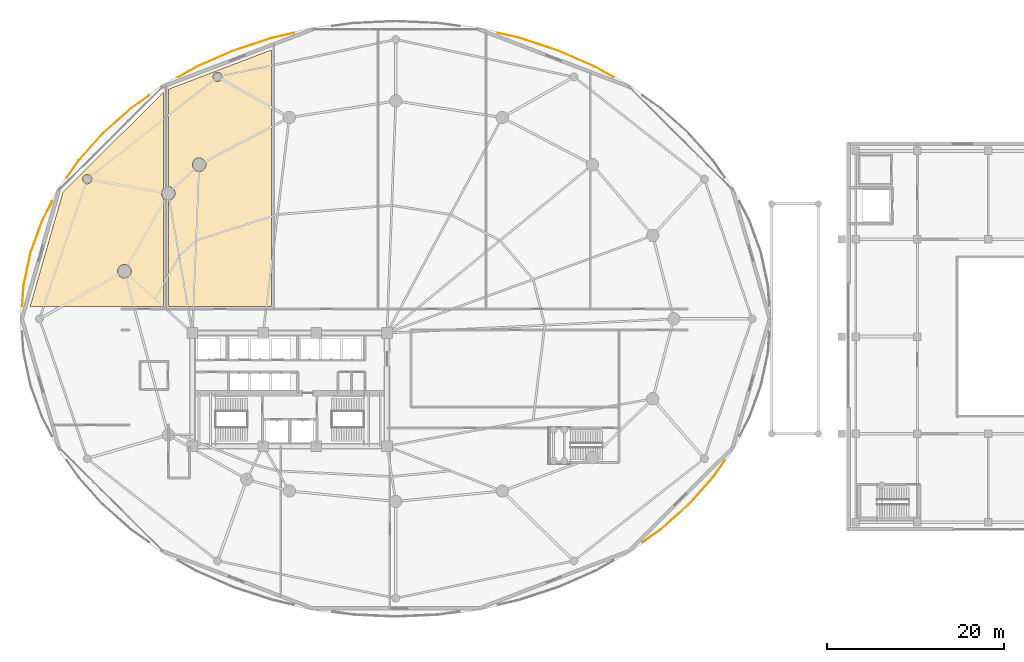
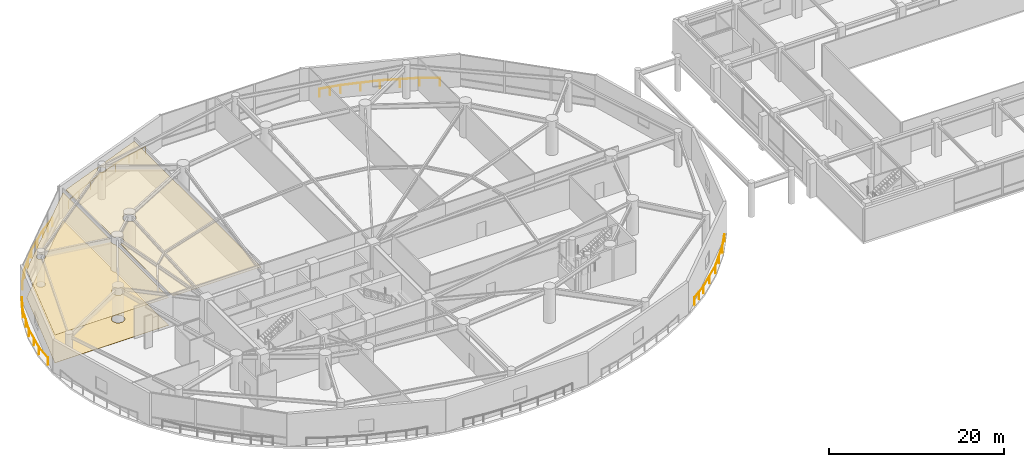
# One storey, part 37 of 40: 5 railings, 3 coverings.
"""IFC4 building model written with IfcOpenShell, lengths in metres."""

from ifc_helpers import new_model, si_unit, direction, frame, origin, origin_2d, place, context, subcontext, project, spatial, polyline, rectangle, outline, extrude, material, layer, layer_set, type_object, element, save


model = new_model("IFC4")

# Units and contexts
model_context = context("Model", 3, precision=1e-05, world=origin(), true_north=direction((0.0, 1.0)))
body_context = subcontext(model_context, "Body", "Model", "MODEL_VIEW")
ifc_project = project(units=[si_unit("LENGTHUNIT", "METRE"), si_unit("AREAUNIT", "SQUARE_METRE"), si_unit("VOLUMEUNIT", "CUBIC_METRE"), si_unit("PLANEANGLEUNIT", "RADIAN"), si_unit("MASSUNIT", "GRAM", prefix="KILO")], contexts=[model_context])

# Site, building, storey
site_placement = place(None, origin())
site = spatial("IfcSite", under=ifc_project, at=site_placement, CompositionType="ELEMENT")
building_placement = place(site_placement, origin())
building = spatial("IfcBuilding", under=site, at=building_placement, Name="Kazevale Care Tower and Concert Hall", CompositionType="ELEMENT")
storey_placement = place(building_placement, frame((0.0, 0.0, 4.800048828125)))
storey = spatial("IfcBuildingStorey", under=building, at=storey_placement, Name="L01", CompositionType="ELEMENT", Elevation=4.800048828125)

# Coverings
ifc_material_1 = material(Name="Acoustic Plaster and Hinoki Wood", Category="wood")
ifc_layer_1 = layer(ifc_material_1, 0.0400390625)
ifc_layer_set_1 = layer_set([ifc_layer_1], Name="Acoustic Plaster and Hinoki Wood")
covering_type_1 = type_object("IfcCoveringType", Name="Acoustic Perforated Wood-Gypsum Ceiling", PredefinedType="CEILING", material=ifc_layer_set_1)
covering_1_placement = place(storey_placement, frame((0.0, 0.0, 3.869873046875)))
element("IfcCovering", 1, at=covering_1_placement, inside=storey, type_object=covering_type_1, Name="clg:L01:1", PredefinedType="CEILING", context=body_context, shape_type="SweptSolid", body=[
    extrude(outline(polyline([(18.62109375, 52.613037109375), (18.489990234375, 52.179931640625), (18.549072265625, 51.882080078125), (18.719970703125, 51.626953125), (18.719970703125, 39.405029296875), (3.64404296875, 39.405029296875), (7.35205078125, 52.306884765625), (18.719970703125, 63.62890625), (18.719970703125, 52.73291015625), (18.62109375, 52.613037109375)]), holes=[polyline([(15.031005859375, 43.677978515625), (14.862060546875, 43.931884765625), (14.60791015625, 44.10107421875), (14.31005859375, 44.159912109375), (14.011962890625, 44.10107421875), (13.758056640625, 43.931884765625), (13.589111328125, 43.677978515625), (13.530029296875, 43.3798828125), (13.589111328125, 43.08203125), (13.758056640625, 42.827880859375), (14.011962890625, 42.658935546875), (14.31005859375, 42.60009765625), (14.60791015625, 42.658935546875), (14.862060546875, 42.827880859375), (15.031005859375, 43.08203125), (15.090087890625, 43.3798828125), (15.031005859375, 43.677978515625)]), polyline([(10.6201171875, 53.903076171875), (10.541015625, 54.093994140625), (10.39404296875, 54.240966796875), (10.202880859375, 54.320068359375), (9.9970703125, 54.320068359375), (9.805908203125, 54.240966796875), (9.658935546875, 54.093994140625), (9.580078125, 53.903076171875), (9.580078125, 53.697021484375), (9.658935546875, 53.506103515625), (9.805908203125, 53.35888671875), (9.9970703125, 53.280029296875), (10.202880859375, 53.280029296875), (10.39404296875, 53.35888671875), (10.541015625, 53.506103515625), (10.6201171875, 53.697021484375), (10.6201171875, 53.903076171875)])]), origin(), (0.0, 0.0, 1.0), 0.0400390625),
])
covering_2_placement = place(storey_placement, frame((0.0, 0.0, 3.869873046875)))
element("IfcCovering", 2, at=covering_2_placement, inside=storey, type_object=covering_type_1, Name="clg:L01:2", PredefinedType="CEILING", context=body_context, shape_type="SweptSolid", body=[
    extrude(outline(polyline([(30.919921875, 39.405029296875), (19.280029296875, 39.405029296875), (19.280029296875, 51.40087890625), (19.568115234375, 51.458984375), (19.822021484375, 51.6279296875), (19.990966796875, 51.882080078125), (20.050048828125, 52.179931640625), (19.990966796875, 52.47802734375), (19.822021484375, 52.73193359375), (19.568115234375, 52.90087890625), (19.280029296875, 52.958984375), (19.280029296875, 63.964111328125), (30.919921875, 68.416015625), (30.919921875, 39.405029296875)]), holes=[polyline([(23.408935546875, 55.863037109375), (23.193115234375, 56.0791015625), (22.912109375, 56.195068359375), (22.60791015625, 56.195068359375), (22.326904296875, 56.0791015625), (22.111083984375, 55.863037109375), (21.9951171875, 55.58203125), (21.9951171875, 55.278076171875), (22.111083984375, 54.9970703125), (22.326904296875, 54.781005859375), (22.60791015625, 54.6650390625), (22.912109375, 54.6650390625), (23.193115234375, 54.781005859375), (23.408935546875, 54.9970703125), (23.52490234375, 55.278076171875), (23.52490234375, 55.58203125), (23.408935546875, 55.863037109375)]), polyline([(25.3701171875, 65.472900390625), (25.291015625, 65.6640625), (25.14404296875, 65.81103515625), (24.952880859375, 65.889892578125), (24.7470703125, 65.889892578125), (24.555908203125, 65.81103515625), (24.408935546875, 65.6640625), (24.330078125, 65.472900390625), (24.330078125, 65.26708984375), (24.408935546875, 65.075927734375), (24.555908203125, 64.928955078125), (24.7470703125, 64.85009765625), (24.952880859375, 64.85009765625), (25.14404296875, 64.928955078125), (25.291015625, 65.075927734375), (25.3701171875, 65.26708984375), (25.3701171875, 65.472900390625)])]), origin(), (0.0, 0.0, 1.0), 0.0400390625),
])

# Railings
ifc_material_2 = material(Name="Anodised Bronze Aluminium and Laminated Glass", Category="aluminium")
railing_type = type_object("IfcRailingType", Name="Balcony and Terrace Balustrade 1120", PredefinedType="BALUSTRADE", material=ifc_material_2)
railing_1_placement = place(storey_placement, frame((2.742919921875, 39.4560546875, 0.0)))
element("IfcRailing", 3, at=railing_1_placement, inside=storey, type_object=railing_type, Name="rail:L01:perim:2", PredefinedType="BALUSTRADE", context=body_context, shape_type="SweptSolid", body=[
    extrude(rectangle(XDim=0.048095703125, YDim=0.048095703125, at=origin_2d()), frame((0.0, 0.0, 1.09619140625), z_axis=(0.070459951237, 0.997514609052, 0.0), x_axis=(-0.997514609052, 0.070459951237, 0.0)), (0.0, 0.0, 1.0), 2.314697265625),
    extrude(rectangle(XDim=0.048095703125, YDim=0.048095703125, at=origin_2d()), frame((0.1630859375, 2.308837890625, 1.09619140625), z_axis=(0.20907738305, 0.977899099037, 0.0), x_axis=(-0.977899099037, 0.20907738305, 0.0)), (0.0, 0.0, 1.0), 3.802001953125),
    extrude(rectangle(XDim=0.048095703125, YDim=0.048095703125, at=origin_2d()), frame((0.9580078125, 6.02685546875, 1.09619140625), z_axis=(0.340410185576, 0.940277036599, 0.0), x_axis=(-0.940277036599, 0.340410185576, 0.0)), (0.0, 0.0, 1.0), 3.854248046875),
    extrude(rectangle(XDim=0.048095703125, YDim=0.048095703125, at=origin_2d()), frame((2.27001953125, 9.65087890625, 1.09619140625), z_axis=(0.462140207553, 0.88680687219, 0.0), x_axis=(-0.88680687219, 0.462140207553, 0.0)), (0.0, 0.0, 1.0), 2.43017578125),
    extrude(rectangle(XDim=0.0419921875, YDim=0.0419921875, at=origin_2d()), origin(), (0.0, 0.0, 1.0), 1.072021484375),
    extrude(rectangle(XDim=0.0419921875, YDim=0.0419921875, at=origin_2d()), frame((0.1630859375, 2.308837890625, 0.0)), (0.0, 0.0, 1.0), 1.072021484375),
    extrude(rectangle(XDim=0.0419921875, YDim=0.0419921875, at=origin_2d()), frame((0.560546875, 4.16796875, 0.0)), (0.0, 0.0, 1.0), 1.072021484375),
    extrude(rectangle(XDim=0.0419921875, YDim=0.0419921875, at=origin_2d()), frame((0.9580078125, 6.02685546875, 0.0)), (0.0, 0.0, 1.0), 1.072021484375),
    extrude(rectangle(XDim=0.0419921875, YDim=0.0419921875, at=origin_2d()), frame((1.614013671875, 7.8388671875, 0.0)), (0.0, 0.0, 1.0), 1.072021484375),
    extrude(rectangle(XDim=0.0419921875, YDim=0.0419921875, at=origin_2d()), frame((2.27001953125, 9.65087890625, 0.0)), (0.0, 0.0, 1.0), 1.072021484375),
    extrude(rectangle(XDim=0.0419921875, YDim=0.0419921875, at=origin_2d()), frame((2.83154296875, 10.728515625, 0.0)), (0.0, 0.0, 1.0), 1.072021484375),
    extrude(rectangle(XDim=0.0419921875, YDim=0.0419921875, at=origin_2d()), frame((3.39306640625, 11.805908203125, 0.0)), (0.0, 0.0, 1.0), 1.072021484375),
])
railing_2_placement = place(storey_placement, frame((7.81201171875, 54.008056640625, 0.0)))
element("IfcRailing", 4, at=railing_2_placement, inside=storey, type_object=railing_type, Name="rail:L01:perim:3", PredefinedType="BALUSTRADE", context=body_context, shape_type="SweptSolid", body=[
    extrude(rectangle(XDim=0.048095703125, YDim=0.048095703125, at=origin_2d()), frame((0.0, 0.0, 1.09619140625), z_axis=(0.570672394322, 0.821177823835, 0.0), x_axis=(-0.821177823835, 0.570672394322, 0.0)), (0.0, 0.0, 1.0), 2.299072265625),
    extrude(rectangle(XDim=0.048095703125, YDim=0.048095703125, at=origin_2d()), frame((1.31201171875, 1.887939453125, 1.09619140625), z_axis=(0.665728837253, 0.746193751816, 0.0), x_axis=(-0.746193751816, 0.665728837253, 0.0)), (0.0, 0.0, 1.0), 4.12646484375),
    extrude(rectangle(XDim=0.048095703125, YDim=0.048095703125, at=origin_2d()), frame((4.05908203125, 4.967041015625, 1.09619140625), z_axis=(0.746983011463, 0.664843124794, 0.0), x_axis=(-0.664843124794, 0.746983011463, 0.0)), (0.0, 0.0, 1.0), 4.2353515625),
    extrude(rectangle(XDim=0.048095703125, YDim=0.048095703125, at=origin_2d()), frame((7.222900390625, 7.782958984375, 1.09619140625), z_axis=(0.815188786096, 0.579195340989, 0.0), x_axis=(-0.579195340989, 0.815188786096, 0.0)), (0.0, 0.0, 1.0), 2.53466796875),
    extrude(rectangle(XDim=0.0419921875, YDim=0.0419921875, at=origin_2d()), origin(), (0.0, 0.0, 1.0), 1.072021484375),
    extrude(rectangle(XDim=0.0419921875, YDim=0.0419921875, at=origin_2d()), frame((1.31201171875, 1.887939453125, 0.0)), (0.0, 0.0, 1.0), 1.072021484375),
    extrude(rectangle(XDim=0.0419921875, YDim=0.0419921875, at=origin_2d()), frame((2.685546875, 3.427490234375, 0.0)), (0.0, 0.0, 1.0), 1.072021484375),
    extrude(rectangle(XDim=0.0419921875, YDim=0.0419921875, at=origin_2d()), frame((4.05908203125, 4.967041015625, 0.0)), (0.0, 0.0, 1.0), 1.072021484375),
    extrude(rectangle(XDim=0.0419921875, YDim=0.0419921875, at=origin_2d()), frame((5.64111328125, 6.375, 0.0)), (0.0, 0.0, 1.0), 1.072021484375),
    extrude(rectangle(XDim=0.0419921875, YDim=0.0419921875, at=origin_2d()), frame((7.222900390625, 7.782958984375, 0.0)), (0.0, 0.0, 1.0), 1.072021484375),
    extrude(rectangle(XDim=0.0419921875, YDim=0.0419921875, at=origin_2d()), frame((8.255859375, 8.51708984375, 0.0)), (0.0, 0.0, 1.0), 1.072021484375),
    extrude(rectangle(XDim=0.0419921875, YDim=0.0419921875, at=origin_2d()), frame((9.2890625, 9.2509765625, 0.0)), (0.0, 0.0, 1.0), 1.072021484375),
])
railing_3_placement = place(storey_placement, frame((20.388916015625, 65.330078125, 0.0)))
element("IfcRailing", 5, at=railing_3_placement, inside=storey, type_object=railing_type, Name="rail:L01:perim:6", PredefinedType="BALUSTRADE", context=body_context, shape_type="SweptSolid", body=[
    extrude(rectangle(XDim=0.048095703125, YDim=0.048095703125, at=origin_2d()), frame((0.0, 0.0, 1.09619140625), z_axis=(0.870864175029, 0.491523741696, 0.0), x_axis=(-0.491523741696, 0.870864175029, 0.0)), (0.0, 0.0, 1.0), 2.36767578125),
    extrude(rectangle(XDim=0.048095703125, YDim=0.048095703125, at=origin_2d()), frame((2.06201171875, 1.163818359375, 1.09619140625), z_axis=(0.915470269762, 0.402385617514, 0.0), x_axis=(-0.402385617514, 0.915470269762, 0.0)), (0.0, 0.0, 1.0), 4.543212890625),
    extrude(rectangle(XDim=0.048095703125, YDim=0.048095703125, at=origin_2d()), frame((6.22119140625, 2.991943359375, 1.09619140625), z_axis=(0.949817857606, 0.312803512405, 0.0), x_axis=(-0.312803512405, 0.949817857606, 0.0)), (0.0, 0.0, 1.0), 4.622802734375),
    extrude(rectangle(XDim=0.048095703125, YDim=0.048095703125, at=origin_2d()), frame((10.612060546875, 4.43798828125, 1.09619140625), z_axis=(0.974740171393, 0.223341886518, 0.0), x_axis=(-0.223341886518, 0.974740171393, 0.0)), (0.0, 0.0, 1.0), 2.538330078125),
    extrude(rectangle(XDim=0.0419921875, YDim=0.0419921875, at=origin_2d()), origin(), (0.0, 0.0, 1.0), 1.072021484375),
    extrude(rectangle(XDim=0.0419921875, YDim=0.0419921875, at=origin_2d()), frame((2.06201171875, 1.163818359375, 0.0)), (0.0, 0.0, 1.0), 1.072021484375),
    extrude(rectangle(XDim=0.0419921875, YDim=0.0419921875, at=origin_2d()), frame((4.1416015625, 2.077880859375, 0.0)), (0.0, 0.0, 1.0), 1.072021484375),
    extrude(rectangle(XDim=0.0419921875, YDim=0.0419921875, at=origin_2d()), frame((6.22119140625, 2.991943359375, 0.0)), (0.0, 0.0, 1.0), 1.072021484375),
    extrude(rectangle(XDim=0.0419921875, YDim=0.0419921875, at=origin_2d()), frame((8.41650390625, 3.71484375, 0.0)), (0.0, 0.0, 1.0), 1.072021484375),
    extrude(rectangle(XDim=0.0419921875, YDim=0.0419921875, at=origin_2d()), frame((10.612060546875, 4.43798828125, 0.0)), (0.0, 0.0, 1.0), 1.072021484375),
    extrude(rectangle(XDim=0.0419921875, YDim=0.0419921875, at=origin_2d()), frame((11.84912109375, 4.721435546875, 0.0)), (0.0, 0.0, 1.0), 1.072021484375),
    extrude(rectangle(XDim=0.0419921875, YDim=0.0419921875, at=origin_2d()), frame((13.086181640625, 5.0048828125, 0.0)), (0.0, 0.0, 1.0), 1.072021484375),
])
railing_4_placement = place(storey_placement, frame((56.52490234375, 70.3349609375, 0.0)))
element("IfcRailing", 6, at=railing_4_placement, inside=storey, type_object=railing_type, Name="rail:L01:perim:10", PredefinedType="BALUSTRADE", context=body_context, shape_type="SweptSolid", body=[
    extrude(rectangle(XDim=0.048095703125, YDim=0.048095703125, at=origin_2d()), frame((0.0, 0.0, 1.09619140625), z_axis=(0.974740171393, -0.223341886518, 0.0), x_axis=(0.223341886518, 0.974740171393, 0.0)), (0.0, 0.0, 1.0), 2.538330078125),
    extrude(rectangle(XDim=0.048095703125, YDim=0.048095703125, at=origin_2d()), frame((2.47412109375, -0.56689453125, 1.09619140625), z_axis=(0.949817857606, -0.312803512405, 0.0), x_axis=(0.312803512405, 0.949817857606, 0.0)), (0.0, 0.0, 1.0), 4.622802734375),
    extrude(rectangle(XDim=0.048095703125, YDim=0.048095703125, at=origin_2d()), frame((6.864990234375, -2.012939453125, 1.09619140625), z_axis=(0.915470269762, -0.402385617514, 0.0), x_axis=(0.402385617514, 0.915470269762, 0.0)), (0.0, 0.0, 1.0), 4.543212890625),
    extrude(rectangle(XDim=0.048095703125, YDim=0.048095703125, at=origin_2d()), frame((11.024169921875, -3.841064453125, 1.09619140625), z_axis=(0.870864175029, -0.491523741696, 0.0), x_axis=(0.491523741696, 0.870864175029, 0.0)), (0.0, 0.0, 1.0), 2.36767578125),
    extrude(rectangle(XDim=0.0419921875, YDim=0.0419921875, at=origin_2d()), origin(), (0.0, 0.0, 1.0), 1.072021484375),
    extrude(rectangle(XDim=0.0419921875, YDim=0.0419921875, at=origin_2d()), frame((1.237060546875, -0.283447265625, 0.0)), (0.0, 0.0, 1.0), 1.072021484375),
    extrude(rectangle(XDim=0.0419921875, YDim=0.0419921875, at=origin_2d()), frame((2.47412109375, -0.56689453125, 0.0)), (0.0, 0.0, 1.0), 1.072021484375),
    extrude(rectangle(XDim=0.0419921875, YDim=0.0419921875, at=origin_2d()), frame((4.66943359375, -1.2900390625, 0.0)), (0.0, 0.0, 1.0), 1.072021484375),
    extrude(rectangle(XDim=0.0419921875, YDim=0.0419921875, at=origin_2d()), frame((6.864990234375, -2.012939453125, 0.0)), (0.0, 0.0, 1.0), 1.072021484375),
    extrude(rectangle(XDim=0.0419921875, YDim=0.0419921875, at=origin_2d()), frame((8.944580078125, -2.927001953125, 0.0)), (0.0, 0.0, 1.0), 1.072021484375),
    extrude(rectangle(XDim=0.0419921875, YDim=0.0419921875, at=origin_2d()), frame((11.024169921875, -3.841064453125, 0.0)), (0.0, 0.0, 1.0), 1.072021484375),
    extrude(rectangle(XDim=0.0419921875, YDim=0.0419921875, at=origin_2d()), frame((13.086181640625, -5.0048828125, 0.0)), (0.0, 0.0, 1.0), 1.072021484375),
])
railing_5_placement = place(storey_placement, frame((82.18798828125, 21.991943359375, 0.0)))
element("IfcRailing", 7, at=railing_5_placement, inside=storey, type_object=railing_type, Name="rail:L01:perim:11", PredefinedType="BALUSTRADE", context=body_context, shape_type="SweptSolid", body=[
    extrude(rectangle(XDim=0.048095703125, YDim=0.048095703125, at=origin_2d()), frame((0.0, 0.0, 1.09619140625), z_axis=(-0.570672394322, -0.821177823835, 0.0), x_axis=(0.821177823835, -0.570672394322, 0.0)), (0.0, 0.0, 1.0), 2.299072265625),
    extrude(rectangle(XDim=0.048095703125, YDim=0.048095703125, at=origin_2d()), frame((-1.31201171875, -1.887939453125, 1.09619140625), z_axis=(-0.665728837253, -0.746193751816, 0.0), x_axis=(0.746193751816, -0.665728837253, 0.0)), (0.0, 0.0, 1.0), 4.12646484375),
    extrude(rectangle(XDim=0.048095703125, YDim=0.048095703125, at=origin_2d()), frame((-4.05908203125, -4.967041015625, 1.09619140625), z_axis=(-0.746983011463, -0.664843124794, 0.0), x_axis=(0.664843124794, -0.746983011463, 0.0)), (0.0, 0.0, 1.0), 4.2353515625),
    extrude(rectangle(XDim=0.048095703125, YDim=0.048095703125, at=origin_2d()), frame((-7.222900390625, -7.782958984375, 1.09619140625), z_axis=(-0.815188786096, -0.579195340989, 0.0), x_axis=(0.579195340989, -0.815188786096, 0.0)), (0.0, 0.0, 1.0), 2.53466796875),
    extrude(rectangle(XDim=0.0419921875, YDim=0.0419921875, at=origin_2d()), origin(), (0.0, 0.0, 1.0), 1.072021484375),
    extrude(rectangle(XDim=0.0419921875, YDim=0.0419921875, at=origin_2d()), frame((-1.31201171875, -1.887939453125, 0.0)), (0.0, 0.0, 1.0), 1.072021484375),
    extrude(rectangle(XDim=0.0419921875, YDim=0.0419921875, at=origin_2d()), frame((-2.685546875, -3.427490234375, 0.0)), (0.0, 0.0, 1.0), 1.072021484375),
    extrude(rectangle(XDim=0.0419921875, YDim=0.0419921875, at=origin_2d()), frame((-4.05908203125, -4.967041015625, 0.0)), (0.0, 0.0, 1.0), 1.072021484375),
    extrude(rectangle(XDim=0.0419921875, YDim=0.0419921875, at=origin_2d()), frame((-5.64111328125, -6.375, 0.0)), (0.0, 0.0, 1.0), 1.072021484375),
    extrude(rectangle(XDim=0.0419921875, YDim=0.0419921875, at=origin_2d()), frame((-7.222900390625, -7.782958984375, 0.0)), (0.0, 0.0, 1.0), 1.072021484375),
    extrude(rectangle(XDim=0.0419921875, YDim=0.0419921875, at=origin_2d()), frame((-8.255859375, -8.51708984375, 0.0)), (0.0, 0.0, 1.0), 1.072021484375),
    extrude(rectangle(XDim=0.0419921875, YDim=0.0419921875, at=origin_2d()), frame((-9.2890625, -9.2509765625, 0.0)), (0.0, 0.0, 1.0), 1.072021484375),
])

# Covering
ifc_material_3 = material(Name="Honed Ochre Limestone", Category="masonry")
ifc_layer_2 = layer(ifc_material_3, 0.02001953125)
ifc_layer_set_2 = layer_set([ifc_layer_2], Name="Honed Ochre Limestone")
covering_type_2 = type_object("IfcCoveringType", Name="Slip-Resistant Resilient Care Flooring", PredefinedType="FLOORING", material=ifc_layer_set_2)
covering_3_placement = place(storey_placement, origin())
element("IfcCovering", 8, at=covering_3_placement, inside=storey, type_object=covering_type_2, Name="flr:L01:1", PredefinedType="FLOORING", context=body_context, shape_type="SweptSolid", body=[
    extrude(outline(polyline([(18.62109375, 52.613037109375), (18.489990234375, 52.179931640625), (18.549072265625, 51.882080078125), (18.719970703125, 51.626953125), (18.719970703125, 39.405029296875), (3.64404296875, 39.405029296875), (7.35205078125, 52.306884765625), (18.719970703125, 63.62890625), (18.719970703125, 52.73291015625), (18.62109375, 52.613037109375)]), holes=[polyline([(15.031005859375, 43.677978515625), (14.862060546875, 43.931884765625), (14.60791015625, 44.10107421875), (14.31005859375, 44.159912109375), (14.011962890625, 44.10107421875), (13.758056640625, 43.931884765625), (13.589111328125, 43.677978515625), (13.530029296875, 43.3798828125), (13.589111328125, 43.08203125), (13.758056640625, 42.827880859375), (14.011962890625, 42.658935546875), (14.31005859375, 42.60009765625), (14.60791015625, 42.658935546875), (14.862060546875, 42.827880859375), (15.031005859375, 43.08203125), (15.090087890625, 43.3798828125), (15.031005859375, 43.677978515625)]), polyline([(10.6201171875, 53.903076171875), (10.541015625, 54.093994140625), (10.39404296875, 54.240966796875), (10.202880859375, 54.320068359375), (9.9970703125, 54.320068359375), (9.805908203125, 54.240966796875), (9.658935546875, 54.093994140625), (9.580078125, 53.903076171875), (9.580078125, 53.697021484375), (9.658935546875, 53.506103515625), (9.805908203125, 53.35888671875), (9.9970703125, 53.280029296875), (10.202880859375, 53.280029296875), (10.39404296875, 53.35888671875), (10.541015625, 53.506103515625), (10.6201171875, 53.697021484375), (10.6201171875, 53.903076171875)])]), origin(), (0.0, 0.0, 1.0), 0.02001953125),
])

save(model, "model.ifc")
